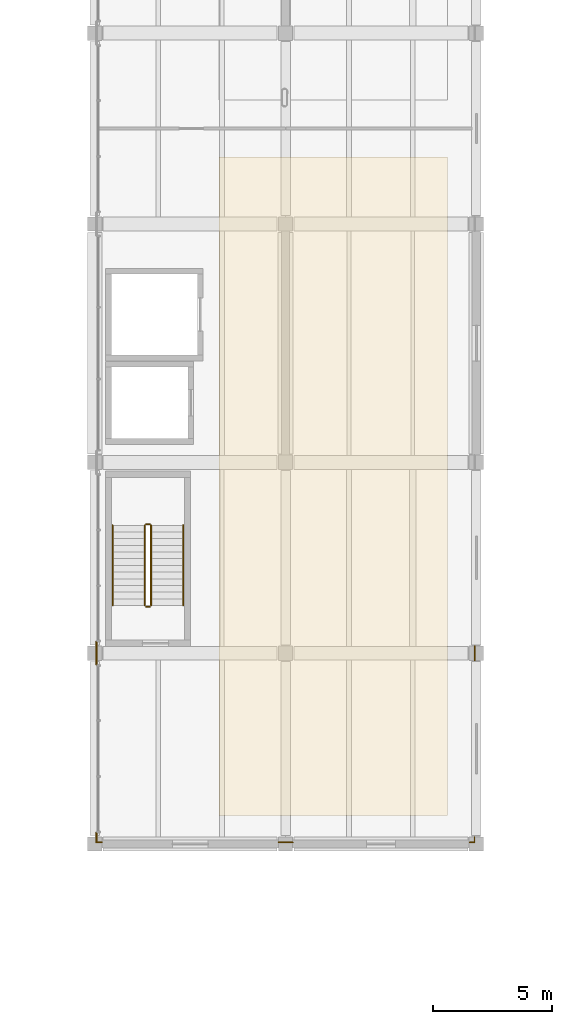
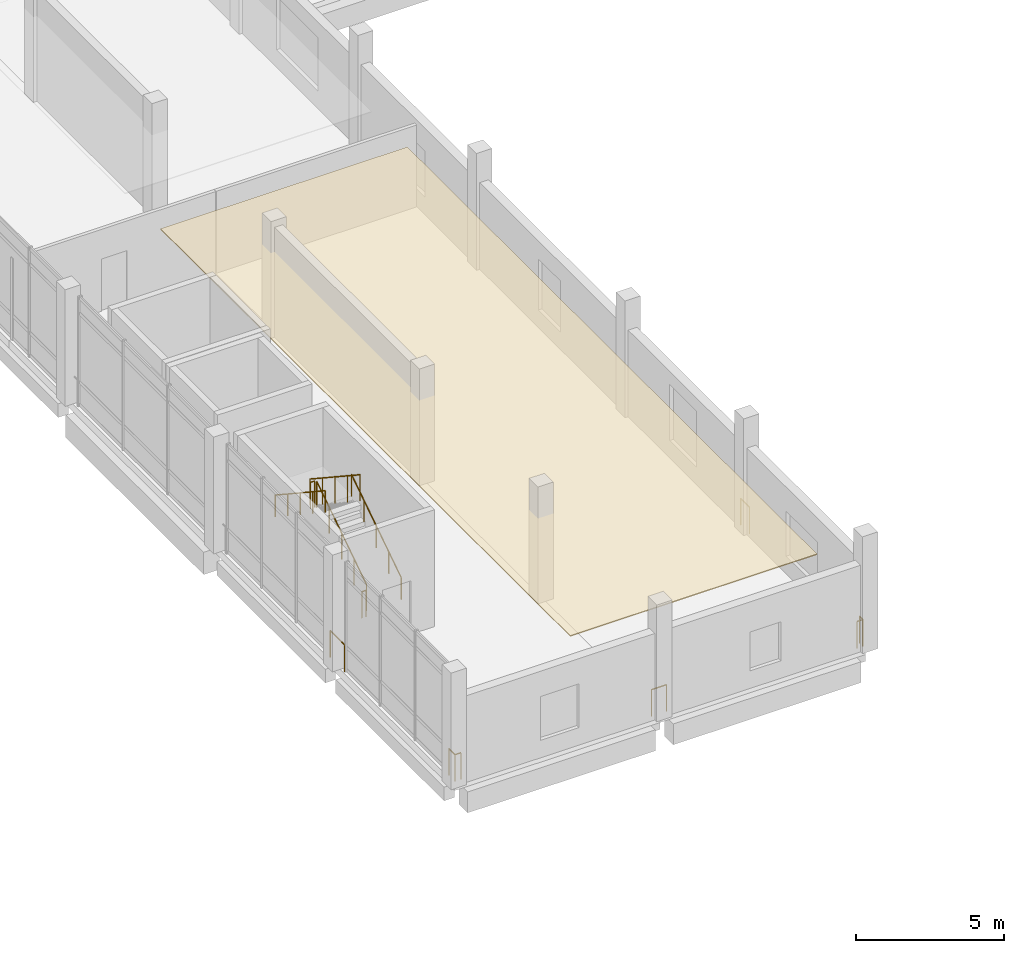
# One storey, part 40 of 47: 12 railings, 1 covering.
"""IFC4 building model written with IfcOpenShell, lengths in metres."""

from ifc_helpers import new_model, si_unit, direction, frame, origin, origin_2d, place, context, subcontext, project, spatial, polyline, circle, outline, extrude, material, layer, layer_set, type_object, element, save


model = new_model("IFC4")

# Units and contexts
model_context = context("Model", 3, precision=1e-05, world=origin(), true_north=direction((0.0, 1.0)))
body_context = subcontext(model_context, "Body", "Model", "MODEL_VIEW")
ifc_project = project(units=[si_unit("LENGTHUNIT", "METRE"), si_unit("AREAUNIT", "SQUARE_METRE"), si_unit("VOLUMEUNIT", "CUBIC_METRE"), si_unit("PLANEANGLEUNIT", "RADIAN"), si_unit("MASSUNIT", "GRAM", prefix="KILO")], contexts=[model_context])

# Site, building, storey
site_placement = place(None, origin())
site = spatial("IfcSite", under=ifc_project, at=site_placement, CompositionType="ELEMENT")
building_placement = place(site_placement, origin())
building = spatial("IfcBuilding", under=site, at=building_placement, Name="Pecanmere Concourse Central Library", CompositionType="ELEMENT")
storey_placement = place(building_placement, frame((0.0, 0.0, 15.300048828125)))
storey = spatial("IfcBuildingStorey", under=building, at=storey_placement, Name="L04", CompositionType="ELEMENT", Elevation=15.300048828125)

# Covering
ifc_material_1 = material(Name="Perforated mineral acoustic ceiling tile")
ifc_layer = layer(ifc_material_1, 0.0400390625, Name="COV_CEIL_ACOUSTIC")
ifc_layer_set = layer_set([ifc_layer], Name="Perforated mineral acoustic ceiling tile")
covering_type = type_object("IfcCoveringType", Name="COV_CEIL_ACOUSTIC", PredefinedType="CEILING", material=ifc_layer_set)
covering_placement = place(storey_placement, frame((0.0, 0.0, 3.469970703125)))
element("IfcCovering", 1, at=covering_placement, inside=storey, type_object=covering_type, Name="Acoustic Coffered Ceiling L04-016", PredefinedType="CEILING", context=body_context, shape_type="SweptSolid", body=[
    extrude(outline(polyline([(117.199951171875, 49.199951171875), (126.800048828125, 49.199951171875), (126.800048828125, 76.800048828125), (117.199951171875, 76.800048828125), (117.199951171875, 49.199951171875)])), origin(), (0.0, 0.0, 1.0), 0.0400390625),
])

# Railings
ifc_material_2 = material(Name="Architectural anodized bronze")
railing_type_1 = type_object("IfcRailingType", Name="RAIL_ATRIUM_BAL", PredefinedType="BALUSTRADE", material=ifc_material_2)
railing_1_placement = place(storey_placement, frame((112.070068359375, 48.070068359375, 0.0)))
element("IfcRailing", 2, at=railing_1_placement, inside=storey, type_object=railing_type_1, Name="Deck Edge Protective Balustrade L04-161", PredefinedType="BALUSTRADE", context=body_context, shape_type="SweptSolid", body=[
    extrude(circle(Radius=0.02392578125, at=origin_2d()), frame((0.0, 0.0, 1.09619140625), z_axis=(0.0, 1.0, 0.0), x_axis=(-1.0, 0.0, 0.0)), (0.0, 0.0, 1.0), 0.409912109375),
    extrude(circle(Radius=0.02099609375, at=origin_2d()), origin(), (0.0, 0.0, 1.0), 1.072021484375),
    extrude(circle(Radius=0.02099609375, at=origin_2d()), frame((0.0, 0.409912109375, 0.0)), (0.0, 0.0, 1.0), 1.072021484375),
])
railing_2_placement = place(storey_placement, frame((112.070068359375, 55.52001953125, 0.0)))
element("IfcRailing", 3, at=railing_2_placement, inside=storey, type_object=railing_type_1, Name="Deck Edge Protective Balustrade L04-162", PredefinedType="BALUSTRADE", context=body_context, shape_type="SweptSolid", body=[
    extrude(circle(Radius=0.02392578125, at=origin_2d()), frame((0.0, 0.0, 1.09619140625), z_axis=(0.0, 1.0, 0.0), x_axis=(-1.0, 0.0, 0.0)), (0.0, 0.0, 1.0), 0.9599609375),
    extrude(circle(Radius=0.02099609375, at=origin_2d()), origin(), (0.0, 0.0, 1.0), 1.072021484375),
    extrude(circle(Radius=0.02099609375, at=origin_2d()), frame((0.0, 0.9599609375, 0.0)), (0.0, 0.0, 1.0), 1.072021484375),
])
railing_3_placement = place(storey_placement, frame((127.929931640625, 56.294921875, 0.0)))
element("IfcRailing", 4, at=railing_3_placement, inside=storey, type_object=railing_type_1, Name="Deck Edge Protective Balustrade L04-173", PredefinedType="BALUSTRADE", context=body_context, shape_type="SweptSolid", body=[
    extrude(circle(Radius=0.02392578125, at=origin_2d()), frame((0.0, 0.0, 1.09619140625), z_axis=(0.0, -1.0, 0.0), x_axis=(1.0, 0.0, 0.0)), (0.0, 0.0, 1.0), 0.58984375),
    extrude(circle(Radius=0.02099609375, at=origin_2d()), origin(), (0.0, 0.0, 1.0), 1.072021484375),
    extrude(circle(Radius=0.02099609375, at=origin_2d()), frame((0.0, -0.58984375, 0.0)), (0.0, 0.0, 1.0), 1.072021484375),
])
railing_4_placement = place(storey_placement, frame((127.929931640625, 48.294921875, 0.0)))
element("IfcRailing", 5, at=railing_4_placement, inside=storey, type_object=railing_type_1, Name="Deck Edge Protective Balustrade L04-174", PredefinedType="BALUSTRADE", context=body_context, shape_type="SweptSolid", body=[
    extrude(circle(Radius=0.02392578125, at=origin_2d()), frame((0.0, 0.0, 1.09619140625), z_axis=(0.0, -1.0, 0.0), x_axis=(1.0, 0.0, 0.0)), (0.0, 0.0, 1.0), 0.224609375),
    extrude(circle(Radius=0.02392578125, at=origin_2d()), frame((0.0, -0.224609375, 1.09619140625), z_axis=(-1.0, 0.0, 0.0), x_axis=(0.0, -1.0, 0.0)), (0.0, 0.0, 1.0), 0.224853515625),
    extrude(circle(Radius=0.02099609375, at=origin_2d()), origin(), (0.0, 0.0, 1.0), 1.072021484375),
    extrude(circle(Radius=0.02099609375, at=origin_2d()), frame((0.0, -0.224609375, 0.0)), (0.0, 0.0, 1.0), 1.072021484375),
    extrude(circle(Radius=0.02099609375, at=origin_2d()), frame((-0.224853515625, -0.224609375, 0.0)), (0.0, 0.0, 1.0), 1.072021484375),
])
railing_5_placement = place(storey_placement, frame((120.294921875, 48.070068359375, 0.0)))
element("IfcRailing", 6, at=railing_5_placement, inside=storey, type_object=railing_type_1, Name="Deck Edge Protective Balustrade L04-175", PredefinedType="BALUSTRADE", context=body_context, shape_type="SweptSolid", body=[
    extrude(circle(Radius=0.02392578125, at=origin_2d()), frame((0.0, 0.0, 1.09619140625), z_axis=(-1.0, 0.0, 0.0), x_axis=(0.0, -1.0, 0.0)), (0.0, 0.0, 1.0), 0.58984375),
    extrude(circle(Radius=0.02099609375, at=origin_2d()), origin(), (0.0, 0.0, 1.0), 1.072021484375),
    extrude(circle(Radius=0.02099609375, at=origin_2d()), frame((-0.58984375, 0.0, 0.0)), (0.0, 0.0, 1.0), 1.072021484375),
])
railing_6_placement = place(storey_placement, frame((112.294921875, 48.070068359375, 0.0)))
element("IfcRailing", 7, at=railing_6_placement, inside=storey, type_object=railing_type_1, Name="Deck Edge Protective Balustrade L04-176", PredefinedType="BALUSTRADE", context=body_context, shape_type="SweptSolid", body=[
    extrude(circle(Radius=0.02392578125, at=origin_2d()), frame((0.0, 0.0, 1.09619140625), z_axis=(-1.0, 0.0, 0.0), x_axis=(0.0, -1.0, 0.0)), (0.0, 0.0, 1.0), 0.224853515625),
    extrude(circle(Radius=0.02099609375, at=origin_2d()), origin(), (0.0, 0.0, 1.0), 1.072021484375),
    extrude(circle(Radius=0.02099609375, at=origin_2d()), frame((-0.224853515625, 0.0, 0.0)), (0.0, 0.0, 1.0), 1.072021484375),
])
ifc_material_3 = material(Name="Painted architectural steel ASTM A36", Category="steel")
railing_type_2 = type_object("IfcRailingType", Name="RAIL_STAIR_GUARD", PredefinedType="GUARDRAIL", material=ifc_material_3)
railing_7_placement = place(storey_placement, frame((114.360107421875, 58.0, 0.1845703125)))
element("IfcRailing", 8, at=railing_7_placement, inside=storey, type_object=railing_type_2, Name="L04 ST-05 Guard 1", PredefinedType="GUARDRAIL", context=body_context, shape_type="SweptSolid", body=[
    extrude(circle(Radius=0.02392578125, at=origin_2d()), frame((0.0, 0.0, 1.076171875), z_axis=(0.0, 0.834876476806, 0.550437342915), x_axis=(-1.0, 0.0, 0.0)), (0.0, 0.0, 1.0), 4.024658203125),
    extrude(circle(Radius=0.02099609375, at=origin_2d()), origin(), (0.0, 0.0, 1.0), 1.052001953125),
    extrude(circle(Radius=0.02099609375, at=origin_2d()), frame((0.0, 0.840087890625, 0.5537109375)), (0.0, 0.0, 1.0), 1.052001953125),
    extrude(circle(Radius=0.02099609375, at=origin_2d()), frame((0.0, 1.68017578125, 1.107666015625)), (0.0, 0.0, 1.0), 1.052001953125),
    extrude(circle(Radius=0.02099609375, at=origin_2d()), frame((0.0, 2.52001953125, 1.66162109375)), (0.0, 0.0, 1.0), 1.052001953125),
    extrude(circle(Radius=0.02099609375, at=origin_2d()), frame((0.0, 3.360107421875, 2.21533203125)), (0.0, 0.0, 1.0), 1.052001953125),
])
railing_8_placement = place(storey_placement, frame((114.31005859375, 61.409912109375, 2.39990234375)))
element("IfcRailing", 9, at=railing_8_placement, inside=storey, type_object=railing_type_2, Name="L04 ST-05 Guard 2", PredefinedType="GUARDRAIL", context=body_context, shape_type="SweptSolid", body=[
    extrude(circle(Radius=0.02392578125, at=origin_2d()), frame((0.0, 0.0, 1.076171875), z_axis=(-1.0, 0.0, 0.0), x_axis=(0.0, -1.0, 0.0)), (0.0, 0.0, 1.0), 0.16015625),
    extrude(circle(Radius=0.02099609375, at=origin_2d()), origin(), (0.0, 0.0, 1.0), 1.052001953125),
    extrude(circle(Radius=0.02099609375, at=origin_2d()), frame((-0.16015625, 0.0, 0.0)), (0.0, 0.0, 1.0), 1.052001953125),
])
railing_9_placement = place(storey_placement, frame((114.10009765625, 61.360107421875, 2.58447265625)))
element("IfcRailing", 10, at=railing_9_placement, inside=storey, type_object=railing_type_2, Name="L04 ST-05 Guard 3", PredefinedType="GUARDRAIL", context=body_context, shape_type="SweptSolid", body=[
    extrude(circle(Radius=0.02392578125, at=origin_2d()), frame((0.0, 0.0, 1.076171875), z_axis=(0.0, -0.834848600103, 0.550479622607), x_axis=(1.0, 0.0, 0.0)), (0.0, 0.0, 1.0), 4.02490234375),
    extrude(circle(Radius=0.02099609375, at=origin_2d()), origin(), (0.0, 0.0, 1.0), 1.052001953125),
    extrude(circle(Radius=0.02099609375, at=origin_2d()), frame((0.0, -0.840087890625, 0.553955078125)), (0.0, 0.0, 1.0), 1.052001953125),
    extrude(circle(Radius=0.02099609375, at=origin_2d()), frame((0.0, -1.68017578125, 1.10791015625)), (0.0, 0.0, 1.0), 1.052001953125),
    extrude(circle(Radius=0.02099609375, at=origin_2d()), frame((0.0, -2.52001953125, 1.66162109375)), (0.0, 0.0, 1.0), 1.052001953125),
    extrude(circle(Radius=0.02099609375, at=origin_2d()), frame((0.0, -3.360107421875, 2.215576171875)), (0.0, 0.0, 1.0), 1.052001953125),
])
railing_10_placement = place(storey_placement, frame((114.31005859375, 57.949951171875, 0.0)))
element("IfcRailing", 11, at=railing_10_placement, inside=storey, type_object=railing_type_2, Name="L04 ST-05 Guard 4", PredefinedType="GUARDRAIL", context=body_context, shape_type="SweptSolid", body=[
    extrude(circle(Radius=0.02392578125, at=origin_2d()), frame((0.0, 0.0, 1.076171875), z_axis=(-1.0, 0.0, 0.0), x_axis=(0.0, -1.0, 0.0)), (0.0, 0.0, 1.0), 0.16015625),
    extrude(circle(Radius=0.02099609375, at=origin_2d()), origin(), (0.0, 0.0, 1.0), 1.052001953125),
    extrude(circle(Radius=0.02099609375, at=origin_2d()), frame((-0.16015625, 0.0, 0.0)), (0.0, 0.0, 1.0), 1.052001953125),
])
ifc_material_4 = material(Name="Brushed stainless steel Grade 316", Category="steel")
railing_type_3 = type_object("IfcRailingType", Name="RAIL_STAIR_HR", PredefinedType="HANDRAIL", material=ifc_material_4)
railing_11_placement = place(storey_placement, frame((115.7099609375, 58.0, 0.1845703125)))
element("IfcRailing", 12, at=railing_11_placement, inside=storey, type_object=railing_type_3, Name="L04 ST-05 Handrail 1", PredefinedType="HANDRAIL", context=body_context, shape_type="SweptSolid", body=[
    extrude(circle(Radius=0.02392578125, at=origin_2d()), frame((0.0, 0.0, 0.89111328125), z_axis=(0.0, 0.834876476806, 0.550437342915), x_axis=(-1.0, 0.0, 0.0)), (0.0, 0.0, 1.0), 4.024658203125),
    extrude(circle(Radius=0.02099609375, at=origin_2d()), origin(), (0.0, 0.0, 1.0), 0.866943359375),
    extrude(circle(Radius=0.02099609375, at=origin_2d()), frame((0.0, 0.840087890625, 0.5537109375)), (0.0, 0.0, 1.0), 0.866943359375),
    extrude(circle(Radius=0.02099609375, at=origin_2d()), frame((0.0, 1.68017578125, 1.107666015625)), (0.0, 0.0, 1.0), 0.866943359375),
    extrude(circle(Radius=0.02099609375, at=origin_2d()), frame((0.0, 2.52001953125, 1.66162109375)), (0.0, 0.0, 1.0), 0.866943359375),
    extrude(circle(Radius=0.02099609375, at=origin_2d()), frame((0.0, 3.360107421875, 2.21533203125)), (0.0, 0.0, 1.0), 0.866943359375),
])
railing_12_placement = place(storey_placement, frame((112.75, 61.360107421875, 2.58447265625)))
element("IfcRailing", 13, at=railing_12_placement, inside=storey, type_object=railing_type_3, Name="L04 ST-05 Handrail 2", PredefinedType="HANDRAIL", context=body_context, shape_type="SweptSolid", body=[
    extrude(circle(Radius=0.02392578125, at=origin_2d()), frame((0.0, 0.0, 0.89111328125), z_axis=(0.0, -0.834848600103, 0.550479622607), x_axis=(1.0, 0.0, 0.0)), (0.0, 0.0, 1.0), 4.02490234375),
    extrude(circle(Radius=0.02099609375, at=origin_2d()), origin(), (0.0, 0.0, 1.0), 0.866943359375),
    extrude(circle(Radius=0.02099609375, at=origin_2d()), frame((0.0, -0.840087890625, 0.553955078125)), (0.0, 0.0, 1.0), 0.866943359375),
    extrude(circle(Radius=0.02099609375, at=origin_2d()), frame((0.0, -1.68017578125, 1.10791015625)), (0.0, 0.0, 1.0), 0.866943359375),
    extrude(circle(Radius=0.02099609375, at=origin_2d()), frame((0.0, -2.52001953125, 1.66162109375)), (0.0, 0.0, 1.0), 0.866943359375),
    extrude(circle(Radius=0.02099609375, at=origin_2d()), frame((0.0, -3.360107421875, 2.215576171875)), (0.0, 0.0, 1.0), 0.866943359375),
])

save(model, "model.ifc")
